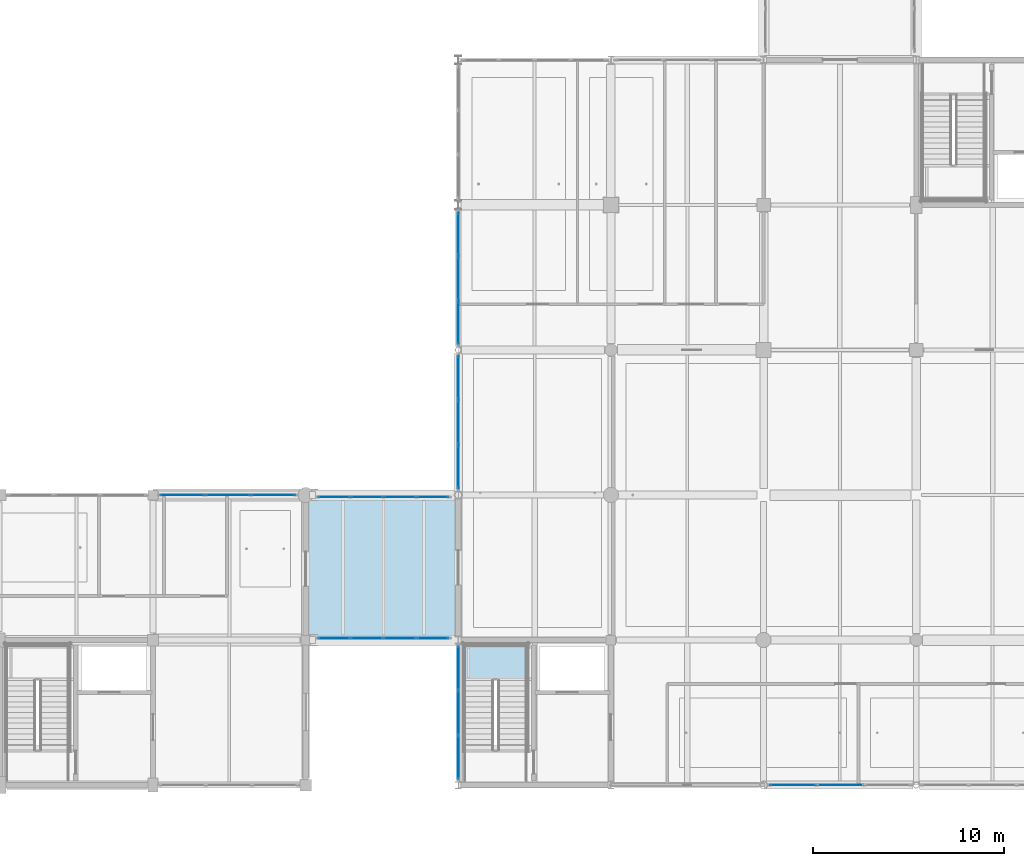
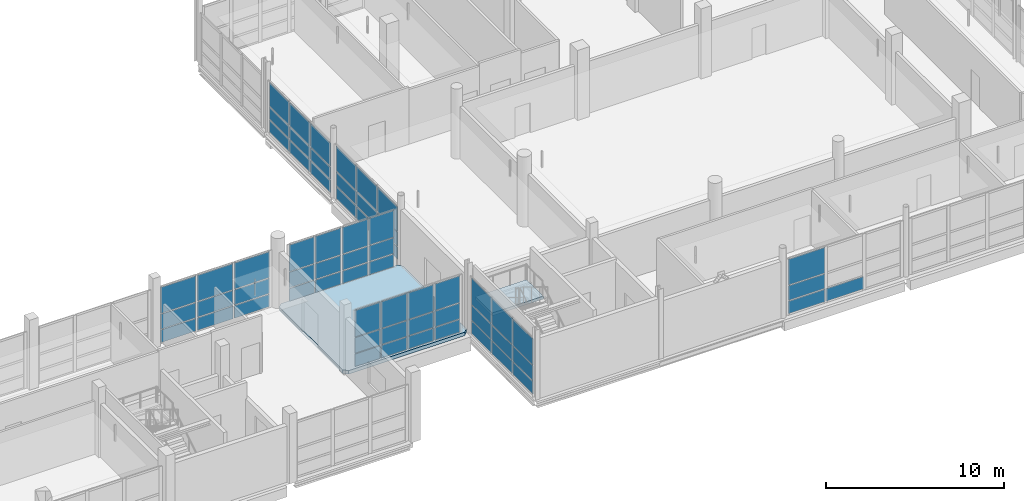
# One storey, part 77 of 141: 64 plates, 2 slabs, 8 elements without a shape of their own.
"""IFC4 building model written with IfcOpenShell, lengths in metres."""

import ifcopenshell
import ifcopenshell.guid

model = None  # the IFC model being written
_history = None  # IfcOwnerHistory: only IFC2X3 demands one
_inside = {}  # id of a spatial element -> (the spatial element, [elements in it])
_under = {}  # id of a project, library or spatial element -> (it, [spatial elements below it])
_declared = {}  # id of a project -> (the project, [libraries it declares])
_typed = {}  # id of a type object -> (the type object, [elements of that type])
_made_of = {}  # id of a material, layer set ... -> (it, [elements and type objects made of it])


def new_model(schema):
    """Start an empty IFC model of exactly this schema.

    Asked for "IFC4X3", IfcOpenShell would pick the latest addendum, in which some entities
    have other attributes; the version numbers below select the first issue.
    IFC2X3 requires an IfcOwnerHistory on every rooted entity: one is made here for all.
    """
    global model, _history
    if schema == "IFC4X3":
        model = ifcopenshell.file(schema_version=(4, 3, 0, 0))
    else:
        model = ifcopenshell.file(schema=schema)
    _inside.clear()
    _under.clear()
    _declared.clear()
    _typed.clear()
    _made_of.clear()
    _history = None
    if model.schema == "IFC2X3":
        org = make("IfcOrganization", Name="unknown")
        user = make(
            "IfcPersonAndOrganization",
            ThePerson=make("IfcPerson", FamilyName="unknown"),
            TheOrganization=org,
        )
        app = make(
            "IfcApplication",
            ApplicationDeveloper=org,
            Version="unknown",
            ApplicationFullName="unknown",
            ApplicationIdentifier="unknown",
        )
        _history = make(
            "IfcOwnerHistory",
            OwningUser=user,
            OwningApplication=app,
            ChangeAction="ADDED",
            CreationDate=0,
        )
    return model


def make(cls, **values):
    """One entity of the class cls with the attributes given. An attribute that is None is left unset."""
    return model.create_entity(
        cls, **{name: value for name, value in values.items() if value is not None}
    )


def rooted(cls, **values):
    """An entity with a GlobalId (a new one), such as an element, a storey or a relation."""
    return make(cls, GlobalId=ifcopenshell.guid.new(), OwnerHistory=_history, **values)


def si_unit(unit_type, name, prefix=None):
    """IfcSIUnit, for example si_unit("LENGTHUNIT", "METRE", prefix="MILLI")."""
    return make("IfcSIUnit", UnitType=unit_type, Prefix=prefix, Name=name)


def assignment(units):
    """IfcUnitAssignment: the units of a project."""
    return None if units is None else make("IfcUnitAssignment", Units=units)


def point(xyz):
    """IfcCartesianPoint."""
    return None if xyz is None else make("IfcCartesianPoint", Coordinates=xyz)


def direction(xyz):
    """IfcDirection."""
    return None if xyz is None else make("IfcDirection", DirectionRatios=xyz)


def frame(location, z_axis=None, x_axis=None):
    """IfcAxis2Placement3D, a coordinate frame: its origin and axes. An axis left out is left unset."""
    return make(
        "IfcAxis2Placement3D",
        Location=point(location),
        Axis=direction(z_axis),
        RefDirection=direction(x_axis),
    )


def frame_2d(location, x_axis=None):
    """IfcAxis2Placement2D, a coordinate frame in the plane: its origin and x axis."""
    return make(
        "IfcAxis2Placement2D", Location=point(location), RefDirection=direction(x_axis)
    )


def origin():
    """The frame at (0, 0, 0) with its axes left unset."""
    return frame((0.0, 0.0, 0.0))


def origin_2d():
    """The frame at (0, 0) in the plane with its x axis left unset."""
    return frame_2d((0.0, 0.0))


def place(relative_to, where):
    """IfcLocalPlacement: puts the frame where relative to a parent placement (None: the world)."""
    return make(
        "IfcLocalPlacement", PlacementRelTo=relative_to, RelativePlacement=where
    )


def context(
    kind, dimensions, precision=None, world=None, true_north=None, identifier=None
):
    """IfcGeometricRepresentationContext, for example the 3D "Model" context."""
    return make(
        "IfcGeometricRepresentationContext",
        ContextIdentifier=identifier,
        ContextType=kind,
        CoordinateSpaceDimension=dimensions,
        Precision=precision,
        WorldCoordinateSystem=world,
        TrueNorth=true_north,
    )


def subcontext(parent, identifier, kind, view, scale=None):
    """IfcGeometricRepresentationSubContext, for example "Body" below "Model"."""
    return make(
        "IfcGeometricRepresentationSubContext",
        ContextIdentifier=identifier,
        ContextType=kind,
        ParentContext=parent,
        TargetScale=scale,
        TargetView=view,
    )


def project(units=None, contexts=None):
    """IfcProject with its units and contexts."""
    return rooted(
        "IfcProject",
        Name="project",
        RepresentationContexts=contexts,
        UnitsInContext=assignment(units),
    )


def spatial(cls, under=None, at=None, **own):
    """A site, building, storey or space (cls), placed at a placement, below another one or the project."""
    s = rooted(cls, ObjectPlacement=at, **own)
    if under is not None:
        _under.setdefault(under.id(), (under, []))[1].append(s)
    return s


def polyline(points):
    """IfcPolyline through the points."""
    return make("IfcPolyline", Points=[point(p) for p in points])


def profile(cls, at=None, kind="AREA", **sizes):
    """A parametric profile (cls). Its sizes go by their IFC names, for example OverallWidth=200.0."""
    return make(cls, ProfileType=kind, Position=at, **sizes)


def rectangle(**sizes):
    """IfcRectangleProfileDef."""
    return profile("IfcRectangleProfileDef", **sizes)


def outline(outer, holes=None, kind="AREA"):
    """IfcArbitraryClosedProfileDef: a profile drawn as a closed curve; with holes, ...WithVoids."""
    if holes is None:
        return make("IfcArbitraryClosedProfileDef", ProfileType=kind, OuterCurve=outer)
    return make(
        "IfcArbitraryProfileDefWithVoids",
        ProfileType=kind,
        OuterCurve=outer,
        InnerCurves=holes,
    )


def extrude(swept, where, along, depth):
    """IfcExtrudedAreaSolid: the profile swept, set in the frame where, extruded along a direction by depth."""
    return make(
        "IfcExtrudedAreaSolid",
        SweptArea=swept,
        Position=where,
        ExtrudedDirection=direction(along),
        Depth=depth,
    )


def shape(context_of_items, identifier, shape_type, items):
    """IfcShapeRepresentation: the items that make up one representation, for example the "Body"."""
    return make(
        "IfcShapeRepresentation",
        ContextOfItems=context_of_items,
        RepresentationIdentifier=identifier,
        RepresentationType=shape_type,
        Items=items,
    )


def material(Name=None, Category=None):
    """IfcMaterial."""
    return make("IfcMaterial", Name=Name, Category=Category)


def layer(
    of_material, thickness, ventilated=None, Name=None, Category=None, Priority=None
):
    """IfcMaterialLayer: one layer of a wall or slab, of a material (None: an air gap)."""
    return make(
        "IfcMaterialLayer",
        Material=of_material,
        LayerThickness=thickness,
        IsVentilated=ventilated,
        Name=Name,
        Category=Category,
        Priority=Priority,
    )


def layer_set(layers, Name=None):
    """IfcMaterialLayerSet."""
    return make("IfcMaterialLayerSet", MaterialLayers=layers, LayerSetName=Name)


def made_of(thing, what):
    """Note that an element or type object is made of a material, layer set ...; save() writes the relation."""
    if what is not None:
        _made_of.setdefault(what.id(), (what, []))[1].append(thing)
    return thing


def type_object(cls, material=None, **own):
    """A type object (cls), such as IfcWallType, which elements share."""
    return made_of(rooted(cls, **own), material)


def element(
    cls,
    number,
    at=None,
    inside=None,
    cuts=None,
    type_object=None,
    material=None,
    context=None,
    identifier="Body",
    shape_type=None,
    held_by="IfcProductDefinitionShape",
    body=None,
    shapes=None,
    **own,
):
    """One element of the class cls, such as IfcWall. Its Tag is "e" and its number.

    at: its placement. inside: the storey or other place that contains it. cuts: it is an
    opening in that element (IfcRelVoidsElement). A single representation is given by context,
    identifier, shape_type and body (its items); several are given by shapes. held_by: the class
    of the entity that holds the representations. save() writes the other relations.
    """
    e = rooted(cls, Tag="e%d" % number, ObjectPlacement=at, **own)
    if body is not None:
        shapes = [shape(context, identifier, shape_type, body)]
    if shapes is not None:
        e.Representation = make(held_by, Representations=shapes)
    if inside is not None:
        _inside.setdefault(inside.id(), (inside, []))[1].append(e)
    if cuts is not None:
        rooted(
            "IfcRelVoidsElement", RelatingBuildingElement=cuts, RelatedOpeningElement=e
        )
    if type_object is not None:
        _typed.setdefault(type_object.id(), (type_object, []))[1].append(e)
    return made_of(e, material)


def aggregate(whole, parts):
    """IfcRelAggregates: a whole, such as a stair, and the parts it consists of."""
    return rooted("IfcRelAggregates", RelatingObject=whole, RelatedObjects=parts)


def save(model, path):
    """Write the relations noted so far, then the file.

    IfcRelAggregates (storeys below a building ...), IfcRelContainedInSpatialStructure (elements
    in a storey), IfcRelDefinesByType, IfcRelAssociatesMaterial and IfcRelDeclares: one each for
    every whole, place, type object, material and project.
    """
    for whole, parts in _under.values():
        aggregate(whole, parts)
    for where, things in _inside.values():
        rooted(
            "IfcRelContainedInSpatialStructure",
            RelatedElements=things,
            RelatingStructure=where,
        )
    for kind, things in _typed.values():
        rooted("IfcRelDefinesByType", RelatedObjects=things, RelatingType=kind)
    for what, things in _made_of.values():
        rooted("IfcRelAssociatesMaterial", RelatedObjects=things, RelatingMaterial=what)
    for by, libraries in _declared.values():
        rooted("IfcRelDeclares", RelatingContext=by, RelatedDefinitions=libraries)
    model.write(path)


model = new_model("IFC4")

# Units and contexts
model_context = context("Model", 3, precision=1e-05, world=origin(), true_north=direction((0.0, 1.0)))
body_context = subcontext(model_context, "Body", "Model", "MODEL_VIEW")
ifc_project = project(units=[si_unit("LENGTHUNIT", "METRE"), si_unit("AREAUNIT", "SQUARE_METRE"), si_unit("VOLUMEUNIT", "CUBIC_METRE"), si_unit("PLANEANGLEUNIT", "RADIAN"), si_unit("MASSUNIT", "GRAM", prefix="KILO")], contexts=[model_context])

# Site, building, storey
site_placement = place(None, origin())
site = spatial("IfcSite", under=ifc_project, at=site_placement, CompositionType="ELEMENT")
building_placement = place(site_placement, origin())
building = spatial("IfcBuilding", under=site, at=building_placement, Name="Khelvaren Railside Concert Hall", CompositionType="ELEMENT")
storey_placement = place(building_placement, frame((0.0, 0.0, 10.199951171875)))
storey = spatial("IfcBuildingStorey", under=building, at=storey_placement, Name="L02", CompositionType="ELEMENT", Elevation=10.199951171875)

# Curtain wall, plates
ifc_material_1 = material(Name="Double-glazed clear foyer glass", Category="glass")
curtain_wall_type_1 = type_object("IfcCurtainWallType", Name="CW68", PredefinedType="USERDEFINED", material=ifc_material_1)
curtain_wall_1_placement = place(storey_placement, origin())
curtain_wall_1 = element("IfcCurtainWall", 1, at=curtain_wall_1_placement, inside=storey, type_object=curtain_wall_type_1, Name="Unitised Curtain Wall CW-V2-L02-S-160", ObjectType="UNITISED CURTAIN WALL", PredefinedType="USERDEFINED")
ifc_layer_1 = layer(ifc_material_1, 0.0439453125)
ifc_layer_set_1 = layer_set([ifc_layer_1], Name="Double-glazed clear foyer glass")
plate_type_1 = type_object("IfcPlateType", Name="CWP33", PredefinedType="CURTAIN_PANEL", material=ifc_layer_set_1)
plate_1_placement = place(storey_placement, frame((164.0205078125, 0.0, 0.06494140625), z_axis=(0.0, 0.0, 1.0), x_axis=(-1.0, 0.0, 0.0)))
plate_1 = element("IfcPlate", 2, at=plate_1_placement, type_object=plate_type_1, Name="CW68 panel 2.1", PredefinedType="CURTAIN_PANEL", context=body_context, shape_type="SweptSolid", body=[
    extrude(rectangle(XDim=2.421630859375, YDim=0.0439453125, at=origin_2d()), origin(), (0.0, 0.0, 1.0), 0.8525390625),
])
plate_2_placement = place(storey_placement, frame((161.542724609375, 0.0, 0.06494140625), z_axis=(0.0, 0.0, 1.0), x_axis=(-1.0, 0.0, 0.0)))
plate_2 = element("IfcPlate", 3, at=plate_2_placement, type_object=plate_type_1, Name="CW68 panel 3.1", PredefinedType="CURTAIN_PANEL", context=body_context, shape_type="SweptSolid", body=[
    extrude(rectangle(XDim=2.384033203125, YDim=0.0439453125, at=origin_2d()), origin(), (0.0, 0.0, 1.0), 0.8525390625),
])
plate_3_placement = place(storey_placement, frame((161.542724609375, 0.0, 0.982666015625), z_axis=(0.0, 0.0, 1.0), x_axis=(-1.0, 0.0, 0.0)))
plate_3 = element("IfcPlate", 4, at=plate_3_placement, type_object=plate_type_1, Name="CW68 panel 3.2", PredefinedType="CURTAIN_PANEL", context=body_context, shape_type="SweptSolid", body=[
    extrude(rectangle(XDim=2.384033203125, YDim=0.0439453125, at=origin_2d()), origin(), (0.0, 0.0, 1.0), 0.9921875),
])
plate_4_placement = place(storey_placement, frame((161.542724609375, 0.0, 2.039794921875), z_axis=(0.0, 0.0, 1.0), x_axis=(-1.0, 0.0, 0.0)))
plate_4 = element("IfcPlate", 5, at=plate_4_placement, type_object=plate_type_1, Name="CW68 panel 3.3", PredefinedType="CURTAIN_PANEL", context=body_context, shape_type="SweptSolid", body=[
    extrude(rectangle(XDim=2.384033203125, YDim=0.0439453125, at=origin_2d()), origin(), (0.0, 0.0, 1.0), 1.75537109375),
])
aggregate(curtain_wall_1, [plate_1, plate_2, plate_3, plate_4])

curtain_wall_type_2 = type_object("IfcCurtainWallType", Name="CW64", PredefinedType="USERDEFINED", material=ifc_material_1)
curtain_wall_2_placement = place(storey_placement, origin())
curtain_wall_2 = element("IfcCurtainWall", 6, at=curtain_wall_2_placement, inside=storey, type_object=curtain_wall_type_2, Name="Unitised Curtain Wall CW-V2-L02-W-0", ObjectType="UNITISED CURTAIN WALL", PredefinedType="USERDEFINED")
plate_5_placement = place(storey_placement, frame((144.0, 1.451171875, 0.06494140625), z_axis=(0.0, 0.0, 1.0), x_axis=(0.0, 1.0, 0.0)))
plate_5 = element("IfcPlate", 7, at=plate_5_placement, type_object=plate_type_1, Name="CW64 panel 1.1", PredefinedType="CURTAIN_PANEL", context=body_context, shape_type="SweptSolid", body=[
    extrude(rectangle(XDim=2.24755859375, YDim=0.0439453125, at=origin_2d()), origin(), (0.0, 0.0, 1.0), 0.8525390625),
])
plate_6_placement = place(storey_placement, frame((144.0, 1.451171875, 0.982421875), z_axis=(0.0, 0.0, 1.0), x_axis=(0.0, 1.0, 0.0)))
plate_6 = element("IfcPlate", 8, at=plate_6_placement, type_object=plate_type_1, Name="CW64 panel 1.2", PredefinedType="CURTAIN_PANEL", context=body_context, shape_type="SweptSolid", body=[
    extrude(rectangle(XDim=2.24755859375, YDim=0.0439453125, at=origin_2d()), origin(), (0.0, 0.0, 1.0), 1.018310546875),
])
plate_7_placement = place(storey_placement, frame((144.0, 1.451171875, 2.065673828125), z_axis=(0.0, 0.0, 1.0), x_axis=(0.0, 1.0, 0.0)))
plate_7 = element("IfcPlate", 9, at=plate_7_placement, type_object=plate_type_1, Name="CW64 panel 1.3", PredefinedType="CURTAIN_PANEL", context=body_context, shape_type="SweptSolid", body=[
    extrude(rectangle(XDim=2.24755859375, YDim=0.0439453125, at=origin_2d()), origin(), (0.0, 0.0, 1.0), 1.779296875),
])
plate_8_placement = place(storey_placement, frame((144.0, 3.79248046875, 0.06494140625), z_axis=(0.0, 0.0, 1.0), x_axis=(0.0, 1.0, 0.0)))
plate_8 = element("IfcPlate", 10, at=plate_8_placement, type_object=plate_type_1, Name="CW64 panel 2.1", PredefinedType="CURTAIN_PANEL", context=body_context, shape_type="SweptSolid", body=[
    extrude(rectangle(XDim=2.284912109375, YDim=0.0439453125, at=origin_2d()), origin(), (0.0, 0.0, 1.0), 0.8525390625),
])
plate_9_placement = place(storey_placement, frame((144.0, 3.79248046875, 0.982421875), z_axis=(0.0, 0.0, 1.0), x_axis=(0.0, 1.0, 0.0)))
plate_9 = element("IfcPlate", 11, at=plate_9_placement, type_object=plate_type_1, Name="CW64 panel 2.2", PredefinedType="CURTAIN_PANEL", context=body_context, shape_type="SweptSolid", body=[
    extrude(rectangle(XDim=2.284912109375, YDim=0.0439453125, at=origin_2d()), origin(), (0.0, 0.0, 1.0), 1.018310546875),
])
plate_10_placement = place(storey_placement, frame((144.0, 3.79248046875, 2.065673828125), z_axis=(0.0, 0.0, 1.0), x_axis=(0.0, 1.0, 0.0)))
plate_10 = element("IfcPlate", 12, at=plate_10_placement, type_object=plate_type_1, Name="CW64 panel 2.3", PredefinedType="CURTAIN_PANEL", context=body_context, shape_type="SweptSolid", body=[
    extrude(rectangle(XDim=2.284912109375, YDim=0.0439453125, at=origin_2d()), origin(), (0.0, 0.0, 1.0), 1.779296875),
])
plate_11_placement = place(storey_placement, frame((144.0, 6.1337890625, 0.06494140625), z_axis=(0.0, 0.0, 1.0), x_axis=(0.0, 1.0, 0.0)))
plate_11 = element("IfcPlate", 13, at=plate_11_placement, type_object=plate_type_1, Name="CW64 panel 3.1", PredefinedType="CURTAIN_PANEL", context=body_context, shape_type="SweptSolid", body=[
    extrude(rectangle(XDim=2.24755859375, YDim=0.0439453125, at=origin_2d()), origin(), (0.0, 0.0, 1.0), 0.8525390625),
])
plate_12_placement = place(storey_placement, frame((144.0, 6.1337890625, 0.982421875), z_axis=(0.0, 0.0, 1.0), x_axis=(0.0, 1.0, 0.0)))
plate_12 = element("IfcPlate", 14, at=plate_12_placement, type_object=plate_type_1, Name="CW64 panel 3.2", PredefinedType="CURTAIN_PANEL", context=body_context, shape_type="SweptSolid", body=[
    extrude(rectangle(XDim=2.24755859375, YDim=0.0439453125, at=origin_2d()), origin(), (0.0, 0.0, 1.0), 1.018310546875),
])
plate_13_placement = place(storey_placement, frame((144.0, 6.1337890625, 2.065673828125), z_axis=(0.0, 0.0, 1.0), x_axis=(0.0, 1.0, 0.0)))
plate_13 = element("IfcPlate", 15, at=plate_13_placement, type_object=plate_type_1, Name="CW64 panel 3.3", PredefinedType="CURTAIN_PANEL", context=body_context, shape_type="SweptSolid", body=[
    extrude(rectangle(XDim=2.24755859375, YDim=0.0439453125, at=origin_2d()), origin(), (0.0, 0.0, 1.0), 1.779296875),
])
aggregate(curtain_wall_2, [plate_5, plate_6, plate_7, plate_8, plate_9, plate_10, plate_11, plate_12, plate_13])

curtain_wall_type_3 = type_object("IfcCurtainWallType", Name="CW70", PredefinedType="USERDEFINED", material=ifc_material_1)
curtain_wall_3_placement = place(storey_placement, origin())
curtain_wall_3 = element("IfcCurtainWall", 16, at=curtain_wall_3_placement, inside=storey, type_object=curtain_wall_type_3, Name="Unitised Curtain Wall CW-V3-L02-N-128", ObjectType="UNITISED CURTAIN WALL", PredefinedType="USERDEFINED")
plate_14_placement = place(storey_placement, frame((129.5419921875, 15.199951171875, 0.06494140625), z_axis=(0.0, 0.0, 1.0), x_axis=(1.0, 0.0, 0.0)))
plate_14 = element("IfcPlate", 17, at=plate_14_placement, type_object=plate_type_1, Name="CW70 panel 1.1", PredefinedType="CURTAIN_PANEL", context=body_context, shape_type="SweptSolid", body=[
    extrude(rectangle(XDim=2.2890625, YDim=0.0439453125, at=origin_2d()), origin(), (0.0, 0.0, 1.0), 0.8525390625),
])
plate_15_placement = place(storey_placement, frame((129.5419921875, 15.199951171875, 0.982421875), z_axis=(0.0, 0.0, 1.0), x_axis=(1.0, 0.0, 0.0)))
plate_15 = element("IfcPlate", 18, at=plate_15_placement, type_object=plate_type_1, Name="CW70 panel 1.2", PredefinedType="CURTAIN_PANEL", context=body_context, shape_type="SweptSolid", body=[
    extrude(rectangle(XDim=2.2890625, YDim=0.0439453125, at=origin_2d()), origin(), (0.0, 0.0, 1.0), 1.018310546875),
])
plate_16_placement = place(storey_placement, frame((129.5419921875, 15.199951171875, 2.065673828125), z_axis=(0.0, 0.0, 1.0), x_axis=(1.0, 0.0, 0.0)))
plate_16 = element("IfcPlate", 19, at=plate_16_placement, type_object=plate_type_1, Name="CW70 panel 1.3", PredefinedType="CURTAIN_PANEL", context=body_context, shape_type="SweptSolid", body=[
    extrude(rectangle(XDim=2.2890625, YDim=0.0439453125, at=origin_2d()), origin(), (0.0, 0.0, 1.0), 1.779296875),
])
plate_17_placement = place(storey_placement, frame((131.925048828125, 15.199951171875, 0.06494140625), z_axis=(0.0, 0.0, 1.0), x_axis=(1.0, 0.0, 0.0)))
plate_17 = element("IfcPlate", 20, at=plate_17_placement, type_object=plate_type_1, Name="CW70 panel 2.1", PredefinedType="CURTAIN_PANEL", context=body_context, shape_type="SweptSolid", body=[
    extrude(rectangle(XDim=2.32666015625, YDim=0.0439453125, at=origin_2d()), origin(), (0.0, 0.0, 1.0), 0.8525390625),
])
plate_18_placement = place(storey_placement, frame((131.925048828125, 15.199951171875, 0.982421875), z_axis=(0.0, 0.0, 1.0), x_axis=(1.0, 0.0, 0.0)))
plate_18 = element("IfcPlate", 21, at=plate_18_placement, type_object=plate_type_1, Name="CW70 panel 2.2", PredefinedType="CURTAIN_PANEL", context=body_context, shape_type="SweptSolid", body=[
    extrude(rectangle(XDim=2.32666015625, YDim=0.0439453125, at=origin_2d()), origin(), (0.0, 0.0, 1.0), 1.018310546875),
])
plate_19_placement = place(storey_placement, frame((131.925048828125, 15.199951171875, 2.065673828125), z_axis=(0.0, 0.0, 1.0), x_axis=(1.0, 0.0, 0.0)))
plate_19 = element("IfcPlate", 22, at=plate_19_placement, type_object=plate_type_1, Name="CW70 panel 2.3", PredefinedType="CURTAIN_PANEL", context=body_context, shape_type="SweptSolid", body=[
    extrude(rectangle(XDim=2.32666015625, YDim=0.0439453125, at=origin_2d()), origin(), (0.0, 0.0, 1.0), 1.779296875),
])
plate_20_placement = place(storey_placement, frame((134.307861328125, 15.199951171875, 0.06494140625), z_axis=(0.0, 0.0, 1.0), x_axis=(1.0, 0.0, 0.0)))
plate_20 = element("IfcPlate", 23, at=plate_20_placement, type_object=plate_type_1, Name="CW70 panel 3.1", PredefinedType="CURTAIN_PANEL", context=body_context, shape_type="SweptSolid", body=[
    extrude(rectangle(XDim=2.2890625, YDim=0.0439453125, at=origin_2d()), origin(), (0.0, 0.0, 1.0), 0.8525390625),
])
plate_21_placement = place(storey_placement, frame((134.307861328125, 15.199951171875, 0.982421875), z_axis=(0.0, 0.0, 1.0), x_axis=(1.0, 0.0, 0.0)))
plate_21 = element("IfcPlate", 24, at=plate_21_placement, type_object=plate_type_1, Name="CW70 panel 3.2", PredefinedType="CURTAIN_PANEL", context=body_context, shape_type="SweptSolid", body=[
    extrude(rectangle(XDim=2.2890625, YDim=0.0439453125, at=origin_2d()), origin(), (0.0, 0.0, 1.0), 1.018310546875),
])
plate_22_placement = place(storey_placement, frame((134.307861328125, 15.199951171875, 2.065673828125), z_axis=(0.0, 0.0, 1.0), x_axis=(1.0, 0.0, 0.0)))
plate_22 = element("IfcPlate", 25, at=plate_22_placement, type_object=plate_type_1, Name="CW70 panel 3.3", PredefinedType="CURTAIN_PANEL", context=body_context, shape_type="SweptSolid", body=[
    extrude(rectangle(XDim=2.2890625, YDim=0.0439453125, at=origin_2d()), origin(), (0.0, 0.0, 1.0), 1.779296875),
])
aggregate(curtain_wall_3, [plate_14, plate_15, plate_16, plate_17, plate_18, plate_19, plate_20, plate_21, plate_22])

curtain_wall_type_4 = type_object("IfcCurtainWallType", Name="CW47", PredefinedType="USERDEFINED", material=ifc_material_1)
curtain_wall_4_placement = place(storey_placement, origin())
curtain_wall_4 = element("IfcCurtainWall", 26, at=curtain_wall_4_placement, inside=storey, type_object=curtain_wall_type_4, Name="Unitised Curtain Wall CW-LB2-L02-S", ObjectType="UNITISED CURTAIN WALL", PredefinedType="USERDEFINED")
plate_23_placement = place(storey_placement, frame((142.66259765625, 7.699951171875, 0.06494140625), z_axis=(0.0, 0.0, 1.0), x_axis=(-1.0, 0.0, 0.0)))
plate_23 = element("IfcPlate", 27, at=plate_23_placement, type_object=plate_type_1, Name="CW47 panel 1.1", PredefinedType="CURTAIN_PANEL", context=body_context, shape_type="SweptSolid", body=[
    extrude(rectangle(XDim=1.625, YDim=0.0439453125, at=origin_2d()), origin(), (0.0, 0.0, 1.0), 0.8525390625),
])
plate_24_placement = place(storey_placement, frame((142.66259765625, 7.699951171875, 0.982421875), z_axis=(0.0, 0.0, 1.0), x_axis=(-1.0, 0.0, 0.0)))
plate_24 = element("IfcPlate", 28, at=plate_24_placement, type_object=plate_type_1, Name="CW47 panel 1.2", PredefinedType="CURTAIN_PANEL", context=body_context, shape_type="SweptSolid", body=[
    extrude(rectangle(XDim=1.625, YDim=0.0439453125, at=origin_2d()), origin(), (0.0, 0.0, 1.0), 1.0546875),
])
plate_25_placement = place(storey_placement, frame((142.66259765625, 7.699951171875, 2.10205078125), z_axis=(0.0, 0.0, 1.0), x_axis=(-1.0, 0.0, 0.0)))
plate_25 = element("IfcPlate", 29, at=plate_25_placement, type_object=plate_type_1, Name="CW47 panel 1.3", PredefinedType="CURTAIN_PANEL", context=body_context, shape_type="SweptSolid", body=[
    extrude(rectangle(XDim=1.625, YDim=0.0439453125, at=origin_2d()), origin(), (0.0, 0.0, 1.0), 1.81298828125),
])
plate_26_placement = place(storey_placement, frame((140.94384765625, 7.699951171875, 0.06494140625), z_axis=(0.0, 0.0, 1.0), x_axis=(-1.0, 0.0, 0.0)))
plate_26 = element("IfcPlate", 30, at=plate_26_placement, type_object=plate_type_1, Name="CW47 panel 2.1", PredefinedType="CURTAIN_PANEL", context=body_context, shape_type="SweptSolid", body=[
    extrude(rectangle(XDim=1.66259765625, YDim=0.0439453125, at=origin_2d()), origin(), (0.0, 0.0, 1.0), 0.8525390625),
])
plate_27_placement = place(storey_placement, frame((140.94384765625, 7.699951171875, 0.982421875), z_axis=(0.0, 0.0, 1.0), x_axis=(-1.0, 0.0, 0.0)))
plate_27 = element("IfcPlate", 31, at=plate_27_placement, type_object=plate_type_1, Name="CW47 panel 2.2", PredefinedType="CURTAIN_PANEL", context=body_context, shape_type="SweptSolid", body=[
    extrude(rectangle(XDim=1.66259765625, YDim=0.0439453125, at=origin_2d()), origin(), (0.0, 0.0, 1.0), 1.0546875),
])
plate_28_placement = place(storey_placement, frame((140.94384765625, 7.699951171875, 2.10205078125), z_axis=(0.0, 0.0, 1.0), x_axis=(-1.0, 0.0, 0.0)))
plate_28 = element("IfcPlate", 32, at=plate_28_placement, type_object=plate_type_1, Name="CW47 panel 2.3", PredefinedType="CURTAIN_PANEL", context=body_context, shape_type="SweptSolid", body=[
    extrude(rectangle(XDim=1.66259765625, YDim=0.0439453125, at=origin_2d()), origin(), (0.0, 0.0, 1.0), 1.81298828125),
])
plate_29_placement = place(storey_placement, frame((139.206298828125, 7.699951171875, 0.06494140625), z_axis=(0.0, 0.0, 1.0), x_axis=(-1.0, 0.0, 0.0)))
plate_29 = element("IfcPlate", 33, at=plate_29_placement, type_object=plate_type_1, Name="CW47 panel 3.1", PredefinedType="CURTAIN_PANEL", context=body_context, shape_type="SweptSolid", body=[
    extrude(rectangle(XDim=1.66259765625, YDim=0.0439453125, at=origin_2d()), origin(), (0.0, 0.0, 1.0), 0.8525390625),
])
plate_30_placement = place(storey_placement, frame((139.206298828125, 7.699951171875, 0.982421875), z_axis=(0.0, 0.0, 1.0), x_axis=(-1.0, 0.0, 0.0)))
plate_30 = element("IfcPlate", 34, at=plate_30_placement, type_object=plate_type_1, Name="CW47 panel 3.2", PredefinedType="CURTAIN_PANEL", context=body_context, shape_type="SweptSolid", body=[
    extrude(rectangle(XDim=1.66259765625, YDim=0.0439453125, at=origin_2d()), origin(), (0.0, 0.0, 1.0), 1.0546875),
])
plate_31_placement = place(storey_placement, frame((139.206298828125, 7.699951171875, 2.10205078125), z_axis=(0.0, 0.0, 1.0), x_axis=(-1.0, 0.0, 0.0)))
plate_31 = element("IfcPlate", 35, at=plate_31_placement, type_object=plate_type_1, Name="CW47 panel 3.3", PredefinedType="CURTAIN_PANEL", context=body_context, shape_type="SweptSolid", body=[
    extrude(rectangle(XDim=1.66259765625, YDim=0.0439453125, at=origin_2d()), origin(), (0.0, 0.0, 1.0), 1.81298828125),
])
plate_32_placement = place(storey_placement, frame((137.487548828125, 7.699951171875, 0.06494140625), z_axis=(0.0, 0.0, 1.0), x_axis=(-1.0, 0.0, 0.0)))
plate_32 = element("IfcPlate", 36, at=plate_32_placement, type_object=plate_type_1, Name="CW47 panel 4.1", PredefinedType="CURTAIN_PANEL", context=body_context, shape_type="SweptSolid", body=[
    extrude(rectangle(XDim=1.625, YDim=0.0439453125, at=origin_2d()), origin(), (0.0, 0.0, 1.0), 0.8525390625),
])
plate_33_placement = place(storey_placement, frame((137.487548828125, 7.699951171875, 0.982421875), z_axis=(0.0, 0.0, 1.0), x_axis=(-1.0, 0.0, 0.0)))
plate_33 = element("IfcPlate", 37, at=plate_33_placement, type_object=plate_type_1, Name="CW47 panel 4.2", PredefinedType="CURTAIN_PANEL", context=body_context, shape_type="SweptSolid", body=[
    extrude(rectangle(XDim=1.625, YDim=0.0439453125, at=origin_2d()), origin(), (0.0, 0.0, 1.0), 1.0546875),
])
plate_34_placement = place(storey_placement, frame((137.487548828125, 7.699951171875, 2.10205078125), z_axis=(0.0, 0.0, 1.0), x_axis=(-1.0, 0.0, 0.0)))
plate_34 = element("IfcPlate", 38, at=plate_34_placement, type_object=plate_type_1, Name="CW47 panel 4.3", PredefinedType="CURTAIN_PANEL", context=body_context, shape_type="SweptSolid", body=[
    extrude(rectangle(XDim=1.625, YDim=0.0439453125, at=origin_2d()), origin(), (0.0, 0.0, 1.0), 1.81298828125),
])
aggregate(curtain_wall_4, [plate_23, plate_24, plate_25, plate_26, plate_27, plate_28, plate_29, plate_30, plate_31, plate_32, plate_33, plate_34])

curtain_wall_5_placement = place(storey_placement, origin())
curtain_wall_5 = element("IfcCurtainWall", 39, at=curtain_wall_5_placement, inside=storey, type_object=curtain_wall_type_4, Name="Unitised Curtain Wall CW-LB2-L02-N", ObjectType="UNITISED CURTAIN WALL", PredefinedType="USERDEFINED")
plate_35_placement = place(storey_placement, frame((137.487548828125, 15.10009765625, 0.06494140625), z_axis=(0.0, 0.0, 1.0), x_axis=(1.0, 0.0, 0.0)))
plate_35 = element("IfcPlate", 40, at=plate_35_placement, type_object=plate_type_1, Name="CW47 panel 1.1", PredefinedType="CURTAIN_PANEL", context=body_context, shape_type="SweptSolid", body=[
    extrude(rectangle(XDim=1.625, YDim=0.0439453125, at=origin_2d()), origin(), (0.0, 0.0, 1.0), 0.8525390625),
])
plate_36_placement = place(storey_placement, frame((137.487548828125, 15.10009765625, 0.982421875), z_axis=(0.0, 0.0, 1.0), x_axis=(1.0, 0.0, 0.0)))
plate_36 = element("IfcPlate", 41, at=plate_36_placement, type_object=plate_type_1, Name="CW47 panel 1.2", PredefinedType="CURTAIN_PANEL", context=body_context, shape_type="SweptSolid", body=[
    extrude(rectangle(XDim=1.625, YDim=0.0439453125, at=origin_2d()), origin(), (0.0, 0.0, 1.0), 1.0546875),
])
plate_37_placement = place(storey_placement, frame((137.487548828125, 15.10009765625, 2.10205078125), z_axis=(0.0, 0.0, 1.0), x_axis=(1.0, 0.0, 0.0)))
plate_37 = element("IfcPlate", 42, at=plate_37_placement, type_object=plate_type_1, Name="CW47 panel 1.3", PredefinedType="CURTAIN_PANEL", context=body_context, shape_type="SweptSolid", body=[
    extrude(rectangle(XDim=1.625, YDim=0.0439453125, at=origin_2d()), origin(), (0.0, 0.0, 1.0), 1.81298828125),
])
plate_38_placement = place(storey_placement, frame((139.206298828125, 15.10009765625, 0.06494140625), z_axis=(0.0, 0.0, 1.0), x_axis=(1.0, 0.0, 0.0)))
plate_38 = element("IfcPlate", 43, at=plate_38_placement, type_object=plate_type_1, Name="CW47 panel 2.1", PredefinedType="CURTAIN_PANEL", context=body_context, shape_type="SweptSolid", body=[
    extrude(rectangle(XDim=1.66259765625, YDim=0.0439453125, at=origin_2d()), origin(), (0.0, 0.0, 1.0), 0.8525390625),
])
plate_39_placement = place(storey_placement, frame((139.206298828125, 15.10009765625, 0.982421875), z_axis=(0.0, 0.0, 1.0), x_axis=(1.0, 0.0, 0.0)))
plate_39 = element("IfcPlate", 44, at=plate_39_placement, type_object=plate_type_1, Name="CW47 panel 2.2", PredefinedType="CURTAIN_PANEL", context=body_context, shape_type="SweptSolid", body=[
    extrude(rectangle(XDim=1.66259765625, YDim=0.0439453125, at=origin_2d()), origin(), (0.0, 0.0, 1.0), 1.0546875),
])
plate_40_placement = place(storey_placement, frame((139.206298828125, 15.10009765625, 2.10205078125), z_axis=(0.0, 0.0, 1.0), x_axis=(1.0, 0.0, 0.0)))
plate_40 = element("IfcPlate", 45, at=plate_40_placement, type_object=plate_type_1, Name="CW47 panel 2.3", PredefinedType="CURTAIN_PANEL", context=body_context, shape_type="SweptSolid", body=[
    extrude(rectangle(XDim=1.66259765625, YDim=0.0439453125, at=origin_2d()), origin(), (0.0, 0.0, 1.0), 1.81298828125),
])
plate_41_placement = place(storey_placement, frame((140.94384765625, 15.10009765625, 0.06494140625), z_axis=(0.0, 0.0, 1.0), x_axis=(1.0, 0.0, 0.0)))
plate_41 = element("IfcPlate", 46, at=plate_41_placement, type_object=plate_type_1, Name="CW47 panel 3.1", PredefinedType="CURTAIN_PANEL", context=body_context, shape_type="SweptSolid", body=[
    extrude(rectangle(XDim=1.66259765625, YDim=0.0439453125, at=origin_2d()), origin(), (0.0, 0.0, 1.0), 0.8525390625),
])
plate_42_placement = place(storey_placement, frame((140.94384765625, 15.10009765625, 0.982421875), z_axis=(0.0, 0.0, 1.0), x_axis=(1.0, 0.0, 0.0)))
plate_42 = element("IfcPlate", 47, at=plate_42_placement, type_object=plate_type_1, Name="CW47 panel 3.2", PredefinedType="CURTAIN_PANEL", context=body_context, shape_type="SweptSolid", body=[
    extrude(rectangle(XDim=1.66259765625, YDim=0.0439453125, at=origin_2d()), origin(), (0.0, 0.0, 1.0), 1.0546875),
])
plate_43_placement = place(storey_placement, frame((140.94384765625, 15.10009765625, 2.10205078125), z_axis=(0.0, 0.0, 1.0), x_axis=(1.0, 0.0, 0.0)))
plate_43 = element("IfcPlate", 48, at=plate_43_placement, type_object=plate_type_1, Name="CW47 panel 3.3", PredefinedType="CURTAIN_PANEL", context=body_context, shape_type="SweptSolid", body=[
    extrude(rectangle(XDim=1.66259765625, YDim=0.0439453125, at=origin_2d()), origin(), (0.0, 0.0, 1.0), 1.81298828125),
])
plate_44_placement = place(storey_placement, frame((142.66259765625, 15.10009765625, 0.06494140625), z_axis=(0.0, 0.0, 1.0), x_axis=(1.0, 0.0, 0.0)))
plate_44 = element("IfcPlate", 49, at=plate_44_placement, type_object=plate_type_1, Name="CW47 panel 4.1", PredefinedType="CURTAIN_PANEL", context=body_context, shape_type="SweptSolid", body=[
    extrude(rectangle(XDim=1.625, YDim=0.0439453125, at=origin_2d()), origin(), (0.0, 0.0, 1.0), 0.8525390625),
])
plate_45_placement = place(storey_placement, frame((142.66259765625, 15.10009765625, 0.982421875), z_axis=(0.0, 0.0, 1.0), x_axis=(1.0, 0.0, 0.0)))
plate_45 = element("IfcPlate", 50, at=plate_45_placement, type_object=plate_type_1, Name="CW47 panel 4.2", PredefinedType="CURTAIN_PANEL", context=body_context, shape_type="SweptSolid", body=[
    extrude(rectangle(XDim=1.625, YDim=0.0439453125, at=origin_2d()), origin(), (0.0, 0.0, 1.0), 1.0546875),
])
plate_46_placement = place(storey_placement, frame((142.66259765625, 15.10009765625, 2.10205078125), z_axis=(0.0, 0.0, 1.0), x_axis=(1.0, 0.0, 0.0)))
plate_46 = element("IfcPlate", 51, at=plate_46_placement, type_object=plate_type_1, Name="CW47 panel 4.3", PredefinedType="CURTAIN_PANEL", context=body_context, shape_type="SweptSolid", body=[
    extrude(rectangle(XDim=1.625, YDim=0.0439453125, at=origin_2d()), origin(), (0.0, 0.0, 1.0), 1.81298828125),
])
aggregate(curtain_wall_5, [plate_35, plate_36, plate_37, plate_38, plate_39, plate_40, plate_41, plate_42, plate_43, plate_44, plate_45, plate_46])

ifc_material_2 = material(Name="Acoustic laminated crystal facade glass", Category="glass")
curtain_wall_type_5 = type_object("IfcCurtainWallType", Name="CW54", PredefinedType="USERDEFINED", material=ifc_material_2)
curtain_wall_6_placement = place(storey_placement, origin())
curtain_wall_6 = element("IfcCurtainWall", 52, at=curtain_wall_6_placement, inside=storey, type_object=curtain_wall_type_5, Name="Unitised Curtain Wall CW-V2-L02-W-15", ObjectType="UNITISED CURTAIN WALL", PredefinedType="USERDEFINED")
ifc_layer_2 = layer(ifc_material_2, 0.0400390625)
ifc_layer_set_2 = layer_set([ifc_layer_2], Name="Acoustic laminated crystal facade glass")
plate_type_2 = type_object("IfcPlateType", Name="CWP77", PredefinedType="CURTAIN_PANEL", material=ifc_layer_set_2)
plate_47_placement = place(storey_placement, frame((144.0, 16.681884765625, 0.0849609375), z_axis=(0.0, 0.0, 1.0), x_axis=(0.0, 1.0, 0.0)))
plate_47 = element("IfcPlate", 53, at=plate_47_placement, type_object=plate_type_2, Name="CW54 panel 1.1", PredefinedType="CURTAIN_PANEL", context=body_context, shape_type="SweptSolid", body=[
    extrude(rectangle(XDim=2.232421875, YDim=0.0400390625, at=origin_2d()), origin(), (0.0, 0.0, 1.0), 0.822509765625),
])
plate_48_placement = place(storey_placement, frame((144.0, 16.681884765625, 0.99267578125), z_axis=(0.0, 0.0, 1.0), x_axis=(0.0, 1.0, 0.0)))
plate_48 = element("IfcPlate", 54, at=plate_48_placement, type_object=plate_type_2, Name="CW54 panel 1.2", PredefinedType="CURTAIN_PANEL", context=body_context, shape_type="SweptSolid", body=[
    extrude(rectangle(XDim=2.232421875, YDim=0.0400390625, at=origin_2d()), origin(), (0.0, 0.0, 1.0), 0.920166015625),
])
plate_49_placement = place(storey_placement, frame((144.0, 16.681884765625, 1.997802734375), z_axis=(0.0, 0.0, 1.0), x_axis=(0.0, 1.0, 0.0)))
plate_49 = element("IfcPlate", 55, at=plate_49_placement, type_object=plate_type_2, Name="CW54 panel 1.3", PredefinedType="CURTAIN_PANEL", context=body_context, shape_type="SweptSolid", body=[
    extrude(rectangle(XDim=2.232421875, YDim=0.0400390625, at=origin_2d()), origin(), (0.0, 0.0, 1.0), 1.67724609375),
])
plate_50_placement = place(storey_placement, frame((144.0, 19.0205078125, 0.0849609375), z_axis=(0.0, 0.0, 1.0), x_axis=(0.0, 1.0, 0.0)))
plate_50 = element("IfcPlate", 56, at=plate_50_placement, type_object=plate_type_2, Name="CW54 panel 2.1", PredefinedType="CURTAIN_PANEL", context=body_context, shape_type="SweptSolid", body=[
    extrude(rectangle(XDim=2.27490234375, YDim=0.0400390625, at=origin_2d()), origin(), (0.0, 0.0, 1.0), 0.822509765625),
])
plate_51_placement = place(storey_placement, frame((144.0, 19.0205078125, 0.99267578125), z_axis=(0.0, 0.0, 1.0), x_axis=(0.0, 1.0, 0.0)))
plate_51 = element("IfcPlate", 57, at=plate_51_placement, type_object=plate_type_2, Name="CW54 panel 2.2", PredefinedType="CURTAIN_PANEL", context=body_context, shape_type="SweptSolid", body=[
    extrude(rectangle(XDim=2.27490234375, YDim=0.0400390625, at=origin_2d()), origin(), (0.0, 0.0, 1.0), 0.920166015625),
])
plate_52_placement = place(storey_placement, frame((144.0, 19.0205078125, 1.997802734375), z_axis=(0.0, 0.0, 1.0), x_axis=(0.0, 1.0, 0.0)))
plate_52 = element("IfcPlate", 58, at=plate_52_placement, type_object=plate_type_2, Name="CW54 panel 2.3", PredefinedType="CURTAIN_PANEL", context=body_context, shape_type="SweptSolid", body=[
    extrude(rectangle(XDim=2.27490234375, YDim=0.0400390625, at=origin_2d()), origin(), (0.0, 0.0, 1.0), 1.67724609375),
])
plate_53_placement = place(storey_placement, frame((144.0, 21.359375, 0.0849609375), z_axis=(0.0, 0.0, 1.0), x_axis=(0.0, 1.0, 0.0)))
plate_53 = element("IfcPlate", 59, at=plate_53_placement, type_object=plate_type_2, Name="CW54 panel 3.1", PredefinedType="CURTAIN_PANEL", context=body_context, shape_type="SweptSolid", body=[
    extrude(rectangle(XDim=2.232421875, YDim=0.0400390625, at=origin_2d()), origin(), (0.0, 0.0, 1.0), 0.822509765625),
])
plate_54_placement = place(storey_placement, frame((144.0, 21.359375, 0.99267578125), z_axis=(0.0, 0.0, 1.0), x_axis=(0.0, 1.0, 0.0)))
plate_54 = element("IfcPlate", 60, at=plate_54_placement, type_object=plate_type_2, Name="CW54 panel 3.2", PredefinedType="CURTAIN_PANEL", context=body_context, shape_type="SweptSolid", body=[
    extrude(rectangle(XDim=2.232421875, YDim=0.0400390625, at=origin_2d()), origin(), (0.0, 0.0, 1.0), 0.920166015625),
])
plate_55_placement = place(storey_placement, frame((144.0, 21.359375, 1.997802734375), z_axis=(0.0, 0.0, 1.0), x_axis=(0.0, 1.0, 0.0)))
plate_55 = element("IfcPlate", 61, at=plate_55_placement, type_object=plate_type_2, Name="CW54 panel 3.3", PredefinedType="CURTAIN_PANEL", context=body_context, shape_type="SweptSolid", body=[
    extrude(rectangle(XDim=2.232421875, YDim=0.0400390625, at=origin_2d()), origin(), (0.0, 0.0, 1.0), 1.67724609375),
])
aggregate(curtain_wall_6, [plate_47, plate_48, plate_49, plate_50, plate_51, plate_52, plate_53, plate_54, plate_55])

curtain_wall_type_6 = type_object("IfcCurtainWallType", Name="CW66", PredefinedType="USERDEFINED", material=ifc_material_2)
curtain_wall_7_placement = place(storey_placement, origin())
curtain_wall_7 = element("IfcCurtainWall", 62, at=curtain_wall_7_placement, inside=storey, type_object=curtain_wall_type_6, Name="Unitised Curtain Wall CW-V2-L02-W-23", ObjectType="UNITISED CURTAIN WALL", PredefinedType="USERDEFINED")
plate_56_placement = place(storey_placement, frame((144.0, 24.23291015625, 0.0849609375), z_axis=(0.0, 0.0, 1.0), x_axis=(0.0, 1.0, 0.0)))
plate_56 = element("IfcPlate", 63, at=plate_56_placement, type_object=plate_type_2, Name="CW66 panel 1.1", PredefinedType="CURTAIN_PANEL", context=body_context, shape_type="SweptSolid", body=[
    extrude(rectangle(XDim=2.216796875, YDim=0.0400390625, at=origin_2d()), origin(), (0.0, 0.0, 1.0), 0.822509765625),
])
plate_57_placement = place(storey_placement, frame((144.0, 24.23291015625, 0.99267578125), z_axis=(0.0, 0.0, 1.0), x_axis=(0.0, 1.0, 0.0)))
plate_57 = element("IfcPlate", 64, at=plate_57_placement, type_object=plate_type_2, Name="CW66 panel 1.2", PredefinedType="CURTAIN_PANEL", context=body_context, shape_type="SweptSolid", body=[
    extrude(rectangle(XDim=2.216796875, YDim=0.0400390625, at=origin_2d()), origin(), (0.0, 0.0, 1.0), 0.816162109375),
])
plate_58_placement = place(storey_placement, frame((144.0, 24.23291015625, 1.8935546875), z_axis=(0.0, 0.0, 1.0), x_axis=(0.0, 1.0, 0.0)))
plate_58 = element("IfcPlate", 65, at=plate_58_placement, type_object=plate_type_2, Name="CW66 panel 1.3", PredefinedType="CURTAIN_PANEL", context=body_context, shape_type="SweptSolid", body=[
    extrude(rectangle(XDim=2.216796875, YDim=0.0400390625, at=origin_2d()), origin(), (0.0, 0.0, 1.0), 1.581298828125),
])
plate_59_placement = place(storey_placement, frame((144.0, 26.555908203125, 0.0849609375), z_axis=(0.0, 0.0, 1.0), x_axis=(0.0, 1.0, 0.0)))
plate_59 = element("IfcPlate", 66, at=plate_59_placement, type_object=plate_type_2, Name="CW66 panel 2.1", PredefinedType="CURTAIN_PANEL", context=body_context, shape_type="SweptSolid", body=[
    extrude(rectangle(XDim=2.25927734375, YDim=0.0400390625, at=origin_2d()), origin(), (0.0, 0.0, 1.0), 0.822509765625),
])
plate_60_placement = place(storey_placement, frame((144.0, 26.555908203125, 0.99267578125), z_axis=(0.0, 0.0, 1.0), x_axis=(0.0, 1.0, 0.0)))
plate_60 = element("IfcPlate", 67, at=plate_60_placement, type_object=plate_type_2, Name="CW66 panel 2.2", PredefinedType="CURTAIN_PANEL", context=body_context, shape_type="SweptSolid", body=[
    extrude(rectangle(XDim=2.25927734375, YDim=0.0400390625, at=origin_2d()), origin(), (0.0, 0.0, 1.0), 0.816162109375),
])
plate_61_placement = place(storey_placement, frame((144.0, 26.555908203125, 1.8935546875), z_axis=(0.0, 0.0, 1.0), x_axis=(0.0, 1.0, 0.0)))
plate_61 = element("IfcPlate", 68, at=plate_61_placement, type_object=plate_type_2, Name="CW66 panel 2.3", PredefinedType="CURTAIN_PANEL", context=body_context, shape_type="SweptSolid", body=[
    extrude(rectangle(XDim=2.25927734375, YDim=0.0400390625, at=origin_2d()), origin(), (0.0, 0.0, 1.0), 1.581298828125),
])
plate_62_placement = place(storey_placement, frame((144.0, 28.879150390625, 0.0849609375), z_axis=(0.0, 0.0, 1.0), x_axis=(0.0, 1.0, 0.0)))
plate_62 = element("IfcPlate", 69, at=plate_62_placement, type_object=plate_type_2, Name="CW66 panel 3.1", PredefinedType="CURTAIN_PANEL", context=body_context, shape_type="SweptSolid", body=[
    extrude(rectangle(XDim=2.216796875, YDim=0.0400390625, at=origin_2d()), origin(), (0.0, 0.0, 1.0), 0.822509765625),
])
plate_63_placement = place(storey_placement, frame((144.0, 28.879150390625, 0.99267578125), z_axis=(0.0, 0.0, 1.0), x_axis=(0.0, 1.0, 0.0)))
plate_63 = element("IfcPlate", 70, at=plate_63_placement, type_object=plate_type_2, Name="CW66 panel 3.2", PredefinedType="CURTAIN_PANEL", context=body_context, shape_type="SweptSolid", body=[
    extrude(rectangle(XDim=2.216796875, YDim=0.0400390625, at=origin_2d()), origin(), (0.0, 0.0, 1.0), 0.816162109375),
])
plate_64_placement = place(storey_placement, frame((144.0, 28.879150390625, 1.8935546875), z_axis=(0.0, 0.0, 1.0), x_axis=(0.0, 1.0, 0.0)))
plate_64 = element("IfcPlate", 71, at=plate_64_placement, type_object=plate_type_2, Name="CW66 panel 3.3", PredefinedType="CURTAIN_PANEL", context=body_context, shape_type="SweptSolid", body=[
    extrude(rectangle(XDim=2.216796875, YDim=0.0400390625, at=origin_2d()), origin(), (0.0, 0.0, 1.0), 1.581298828125),
])
aggregate(curtain_wall_7, [plate_56, plate_57, plate_58, plate_59, plate_60, plate_61, plate_62, plate_63, plate_64])

# Slab
ifc_material_3 = material(Name="Concrete C40/50", Category="concrete")
ifc_layer_3 = layer(ifc_material_3, 0.239990234375)
ifc_layer_set_3 = layer_set([ifc_layer_3], Name="Concrete C40/50")
slab_type_1 = type_object("IfcSlabType", Name="FS36", PredefinedType="FLOOR", material=ifc_layer_set_3)
slab_1_placement = place(storey_placement, frame((0.0, 0.0, -0.239990234375)))
element("IfcSlab", 72, at=slab_1_placement, inside=storey, type_object=slab_type_1, Name="East Rehearsal Link Bridge L02 Deck Slab", PredefinedType="FLOOR", context=body_context, shape_type="SweptSolid", body=[
    extrude(outline(polyline([(136.199951171875, 7.60009765625), (143.75, 7.60009765625), (144.0, 7.85009765625), (144.0, 14.949951171875), (143.75, 15.199951171875), (136.199951171875, 15.199951171875), (135.949951171875, 14.949951171875), (135.949951171875, 7.85009765625), (136.199951171875, 7.60009765625)])), origin(), (0.0, 0.0, 1.0), 0.239990234375),
])

# Stair, slab
stair_type = type_object("IfcStairType", Name="ST70", PredefinedType="HALF_TURN_STAIR", material=ifc_material_3)
stair_placement = place(storey_placement, origin())
stair = element("IfcStair", 73, at=stair_placement, inside=storey, type_object=stair_type, Name="L02 Core Exit Stair ST-03", PredefinedType="HALF_TURN_STAIR")
ifc_layer_4 = layer(ifc_material_3, 0.199951171875)
ifc_layer_set_4 = layer_set([ifc_layer_4], Name="Concrete C40/50")
slab_type_2 = type_object("IfcSlabType", Name="LND67", PredefinedType="LANDING", material=ifc_layer_set_4)
slab_2_placement = place(storey_placement, frame((0.0, 0.0, 2.199951171875)))
slab_2 = element("IfcSlab", 74, at=slab_2_placement, type_object=slab_type_2, Name="ST-03 landing 1", PredefinedType="LANDING", context=body_context, shape_type="SweptSolid", body=[
    extrude(outline(polyline([(147.6201171875, 5.47998046875), (147.6201171875, 7.360107421875), (144.300048828125, 7.360107421875), (144.300048828125, 5.47998046875), (147.6201171875, 5.47998046875)])), origin(), (0.0, 0.0, 1.0), 0.2001953125),
])
aggregate(stair, [slab_2])

save(model, "model.ifc")
